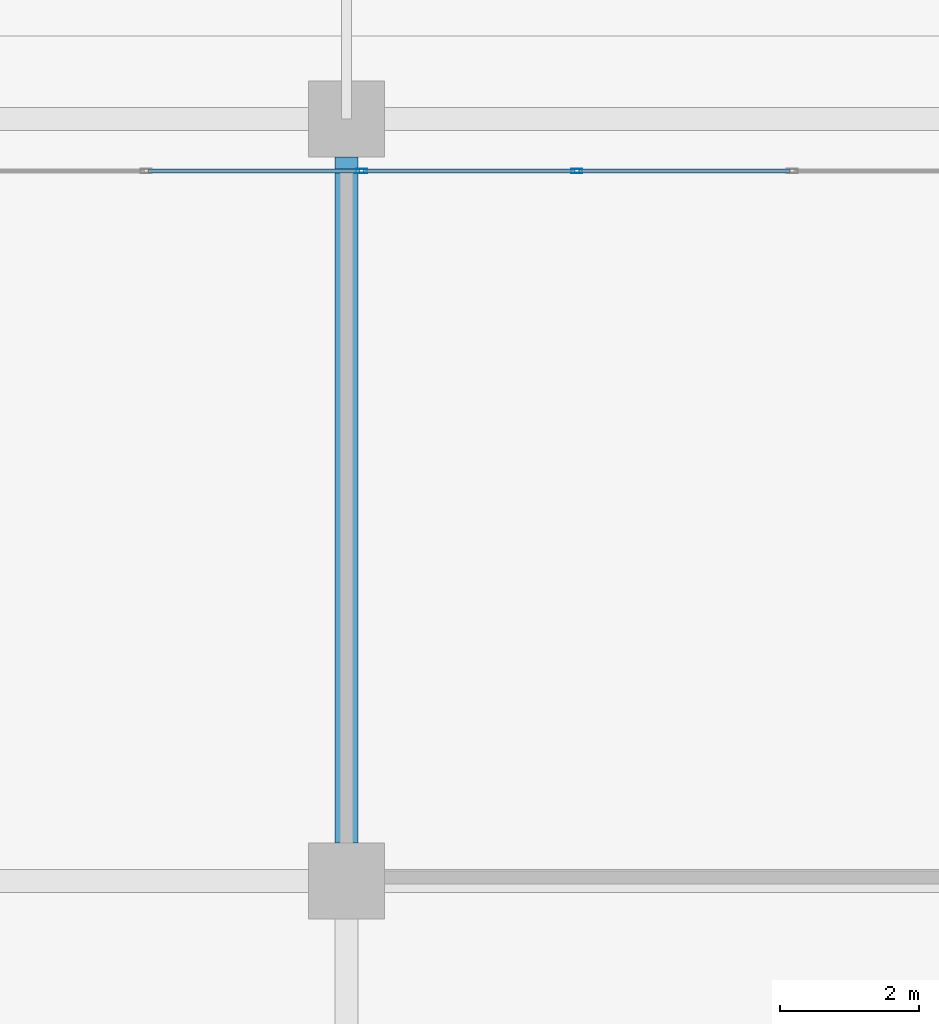
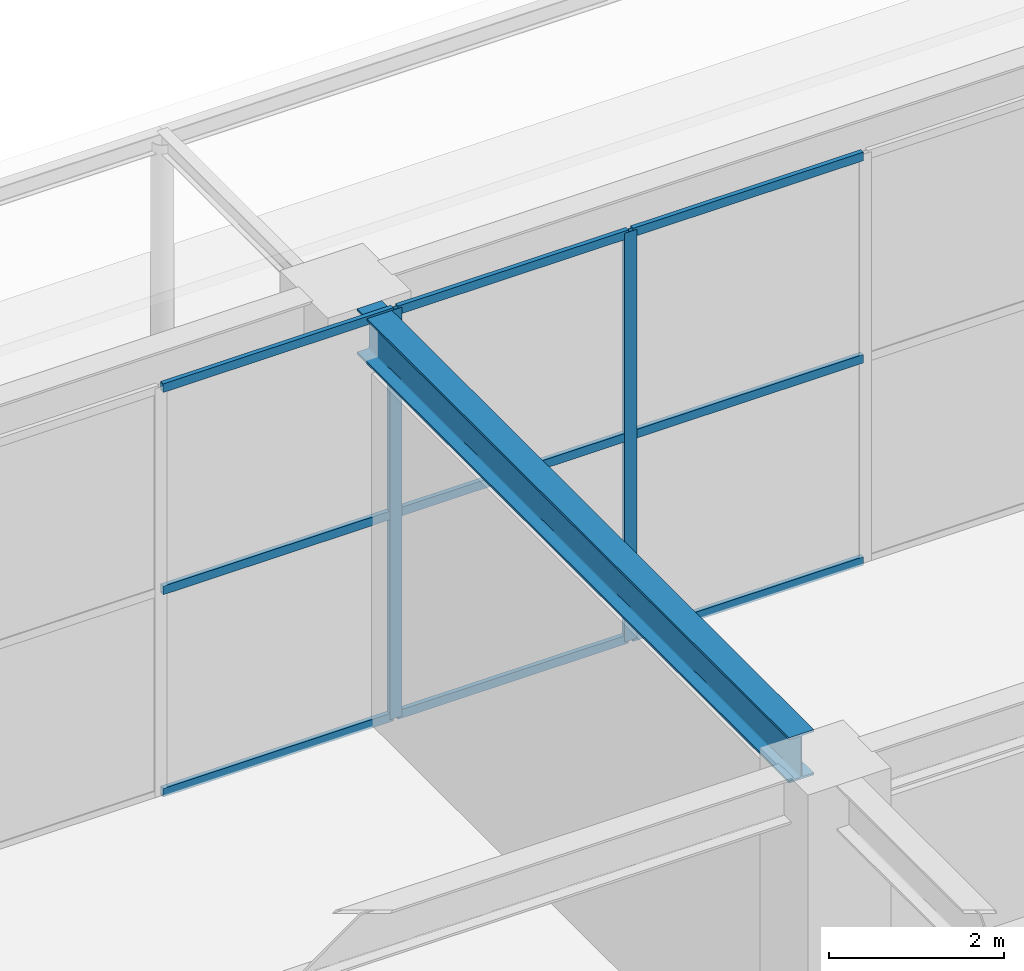
# One storey, part 27 of 49: 11 members, 1 beam, 1 element without a shape of its own.
"""IFC4 building model written with IfcOpenShell, lengths in metres."""

from ifc_helpers import new_model, si_unit, direction, frame, origin, origin_2d, place, context, subcontext, project, spatial, hollow_rectangle, i_section, extrude, material, layer, layer_set, material_profile, profile_set, type_object, element, aggregate, save


model = new_model("IFC4")

# Units and contexts
model_context = context("Model", 3, precision=1e-05, world=origin(), true_north=direction((0.0, 1.0)))
body_context = subcontext(model_context, "Body", "Model", "MODEL_VIEW")
ifc_project = project(units=[si_unit("LENGTHUNIT", "METRE"), si_unit("AREAUNIT", "SQUARE_METRE"), si_unit("VOLUMEUNIT", "CUBIC_METRE"), si_unit("PLANEANGLEUNIT", "RADIAN"), si_unit("MASSUNIT", "GRAM", prefix="KILO")], contexts=[model_context])

# Site, building, storey
site_placement = place(None, origin())
site = spatial("IfcSite", under=ifc_project, at=site_placement, CompositionType="ELEMENT")
building_placement = place(site_placement, origin())
building = spatial("IfcBuilding", under=site, at=building_placement, Name="Sarneth Arch Tower", CompositionType="ELEMENT")
storey_placement = place(building_placement, origin())
storey = spatial("IfcBuildingStorey", under=building, at=storey_placement, Name="L00", CompositionType="ELEMENT", Elevation=0.0)

# Beam
ifc_material_1 = material(Name="Steel S355", Category="steel")
ifc_material_profile_1 = material_profile(ifc_material_1, i_section(OverallWidth=0.3291015625, OverallDepth=0.635009765625, WebThickness=0.017822265625, FlangeThickness=0.031005859375, FilletRadius=0.01904296875, at=origin_2d()), Name="W610x241")
ifc_profile_set_1 = profile_set([ifc_material_profile_1], Name="Steel S355")
beam_type = type_object("IfcBeamType", Name="BM-POD-610", PredefinedType="BEAM", material=ifc_profile_set_1)
beam_placement = place(storey_placement, frame((54.0, 64.35009765625, 5.402587890625), z_axis=(0.0, 1.0, 0.0), x_axis=(-1.0, 0.0, 0.0)))
element("IfcBeam", 1, at=beam_placement, inside=storey, type_object=beam_type, Name="L00 North bay girder C54.2", PredefinedType="BEAM", context=body_context, shape_type="SweptSolid", body=[
    extrude(i_section(OverallWidth=0.3291015625, OverallDepth=0.635009765625, WebThickness=0.017822265625, FlangeThickness=0.031005859375, FilletRadius=0.01904296875, at=origin_2d()), origin(), (0.0, 0.0, 1.0), 9.89990234375),
])

# Curtain wall, members
ifc_material_2 = material(Name="Anodised aluminium Type AA25 and solar-control low-e laminated IGU", Category="aluminium")
ifc_layer = layer(ifc_material_2, 0.199951171875)
ifc_layer_set = layer_set([ifc_layer], Name="Anodised aluminium Type AA25 and solar-control low-e laminated IGU")
curtain_wall_type = type_object("IfcCurtainWallType", Name="CW-ARCH-GLAZE", PredefinedType="NOTDEFINED", material=ifc_layer_set)
curtain_wall_placement = place(storey_placement, origin())
curtain_wall = element("IfcCurtainWall", 2, at=curtain_wall_placement, inside=storey, type_object=curtain_wall_type, Name="L00 North parabolic arch portal curtain wall", PredefinedType="NOTDEFINED")
ifc_material_3 = material(Name="Anodised Aluminium 6063-T6", Category="aluminium")
ifc_material_profile_2 = material_profile(ifc_material_3, hollow_rectangle(XDim=0.06005859375, YDim=0.159912109375, WallThickness=0.00390625, at=origin_2d()), Name="AL-MULL-160x60x4")
ifc_profile_set_2 = profile_set([ifc_material_profile_2], Name="Anodised Aluminium 6063-T6")
member_type_1 = type_object("IfcMemberType", Name="CW-MULLION", PredefinedType="MULLION", material=ifc_profile_set_2)
member_1_placement = place(storey_placement, frame((57.324951171875, 74.050048828125, 0.0), z_axis=(0.0, 0.0, 1.0), x_axis=(0.0, -1.0, 0.0)))
member_1 = element("IfcMember", 3, at=member_1_placement, type_object=member_type_1, Name="CW-SYS-2 mullion 4", PredefinedType="MULLION", context=body_context, shape_type="SweptSolid", body=[
    extrude(hollow_rectangle(XDim=0.06005859375, YDim=0.159912109375, WallThickness=0.00390625, at=origin_2d()), origin(), (0.0, 0.0, 1.0), 5.719970703125),
])
member_2_placement = place(storey_placement, frame((54.216552734375, 74.050048828125, 0.0), z_axis=(0.0, 0.0, 1.0), x_axis=(0.0, -1.0, 0.0)))
member_2 = element("IfcMember", 4, at=member_2_placement, type_object=member_type_1, Name="CW-SYS-2 mullion 5", PredefinedType="MULLION", context=body_context, shape_type="SweptSolid", body=[
    extrude(hollow_rectangle(XDim=0.06005859375, YDim=0.159912109375, WallThickness=0.00390625, at=origin_2d()), origin(), (0.0, 0.0, 1.0), 5.719970703125),
])
ifc_material_4 = material(Name="Anodised Aluminium 6063-T6", Category="aluminium")
ifc_material_profile_3 = material_profile(ifc_material_4, hollow_rectangle(XDim=0.06005859375, YDim=0.1201171875, WallThickness=0.00390625, at=origin_2d()), Name="AL-TRAN-120x60x4")
ifc_profile_set_3 = profile_set([ifc_material_profile_3], Name="Anodised Aluminium 6063-T6")
member_type_2 = type_object("IfcMemberType", Name="CW-TRANSOM", PredefinedType="USERDEFINED", material=ifc_profile_set_3)
member_3_placement = place(storey_placement, frame((60.4033203125, 74.050048828125, 0.030029296875), z_axis=(-1.0, 0.0, 0.0), x_axis=(0.0, -1.0, 0.0)))
member_3 = element("IfcMember", 5, at=member_3_placement, type_object=member_type_2, Name="CW-SYS-2 transom 3.1", ObjectType="TRANSOM", PredefinedType="USERDEFINED", context=body_context, shape_type="SweptSolid", body=[
    extrude(hollow_rectangle(XDim=0.06005859375, YDim=0.1201171875, WallThickness=0.00390625, at=origin_2d()), origin(), (0.0, 0.0, 1.0), 3.04833984375),
])
member_4_placement = place(storey_placement, frame((60.4033203125, 74.050048828125, 2.860107421875), z_axis=(-1.0, 0.0, 0.0), x_axis=(0.0, -1.0, 0.0)))
member_4 = element("IfcMember", 6, at=member_4_placement, type_object=member_type_2, Name="CW-SYS-2 transom 3.2", ObjectType="TRANSOM", PredefinedType="USERDEFINED", context=body_context, shape_type="SweptSolid", body=[
    extrude(hollow_rectangle(XDim=0.06005859375, YDim=0.1201171875, WallThickness=0.00390625, at=origin_2d()), origin(), (0.0, 0.0, 1.0), 3.04833984375),
])
member_5_placement = place(storey_placement, frame((60.4033203125, 74.050048828125, 5.68994140625), z_axis=(-1.0, 0.0, 0.0), x_axis=(0.0, -1.0, 0.0)))
member_5 = element("IfcMember", 7, at=member_5_placement, type_object=member_type_2, Name="CW-SYS-2 transom 3.3", ObjectType="TRANSOM", PredefinedType="USERDEFINED", context=body_context, shape_type="SweptSolid", body=[
    extrude(hollow_rectangle(XDim=0.06005859375, YDim=0.1201171875, WallThickness=0.00390625, at=origin_2d()), origin(), (0.0, 0.0, 1.0), 3.04833984375),
])
member_6_placement = place(storey_placement, frame((57.294921875, 74.050048828125, 0.030029296875), z_axis=(-1.0, 0.0, 0.0), x_axis=(0.0, -1.0, 0.0)))
member_6 = element("IfcMember", 8, at=member_6_placement, type_object=member_type_2, Name="CW-SYS-2 transom 4.1", ObjectType="TRANSOM", PredefinedType="USERDEFINED", context=body_context, shape_type="SweptSolid", body=[
    extrude(hollow_rectangle(XDim=0.06005859375, YDim=0.1201171875, WallThickness=0.00390625, at=origin_2d()), origin(), (0.0, 0.0, 1.0), 3.04833984375),
])
member_7_placement = place(storey_placement, frame((57.294921875, 74.050048828125, 2.860107421875), z_axis=(-1.0, 0.0, 0.0), x_axis=(0.0, -1.0, 0.0)))
member_7 = element("IfcMember", 9, at=member_7_placement, type_object=member_type_2, Name="CW-SYS-2 transom 4.2", ObjectType="TRANSOM", PredefinedType="USERDEFINED", context=body_context, shape_type="SweptSolid", body=[
    extrude(hollow_rectangle(XDim=0.06005859375, YDim=0.1201171875, WallThickness=0.00390625, at=origin_2d()), origin(), (0.0, 0.0, 1.0), 3.04833984375),
])
member_8_placement = place(storey_placement, frame((57.294921875, 74.050048828125, 5.68994140625), z_axis=(-1.0, 0.0, 0.0), x_axis=(0.0, -1.0, 0.0)))
member_8 = element("IfcMember", 10, at=member_8_placement, type_object=member_type_2, Name="CW-SYS-2 transom 4.3", ObjectType="TRANSOM", PredefinedType="USERDEFINED", context=body_context, shape_type="SweptSolid", body=[
    extrude(hollow_rectangle(XDim=0.06005859375, YDim=0.1201171875, WallThickness=0.00390625, at=origin_2d()), origin(), (0.0, 0.0, 1.0), 3.04833984375),
])
member_9_placement = place(storey_placement, frame((54.186767578125, 74.050048828125, 0.030029296875), z_axis=(-1.0, 0.0, 0.0), x_axis=(0.0, -1.0, 0.0)))
member_9 = element("IfcMember", 11, at=member_9_placement, type_object=member_type_2, Name="CW-SYS-2 transom 5.1", ObjectType="TRANSOM", PredefinedType="USERDEFINED", context=body_context, shape_type="SweptSolid", body=[
    extrude(hollow_rectangle(XDim=0.06005859375, YDim=0.1201171875, WallThickness=0.00390625, at=origin_2d()), origin(), (0.0, 0.0, 1.0), 3.04833984375),
])
member_10_placement = place(storey_placement, frame((54.186767578125, 74.050048828125, 2.860107421875), z_axis=(-1.0, 0.0, 0.0), x_axis=(0.0, -1.0, 0.0)))
member_10 = element("IfcMember", 12, at=member_10_placement, type_object=member_type_2, Name="CW-SYS-2 transom 5.2", ObjectType="TRANSOM", PredefinedType="USERDEFINED", context=body_context, shape_type="SweptSolid", body=[
    extrude(hollow_rectangle(XDim=0.06005859375, YDim=0.1201171875, WallThickness=0.00390625, at=origin_2d()), origin(), (0.0, 0.0, 1.0), 3.04833984375),
])
member_11_placement = place(storey_placement, frame((54.186767578125, 74.050048828125, 5.68994140625), z_axis=(-1.0, 0.0, 0.0), x_axis=(0.0, -1.0, 0.0)))
member_11 = element("IfcMember", 13, at=member_11_placement, type_object=member_type_2, Name="CW-SYS-2 transom 5.3", ObjectType="TRANSOM", PredefinedType="USERDEFINED", context=body_context, shape_type="SweptSolid", body=[
    extrude(hollow_rectangle(XDim=0.06005859375, YDim=0.1201171875, WallThickness=0.00390625, at=origin_2d()), origin(), (0.0, 0.0, 1.0), 3.04833984375),
])
aggregate(curtain_wall, [member_1, member_2, member_3, member_4, member_5, member_6, member_7, member_8, member_9, member_10, member_11])

save(model, "model.ifc")
